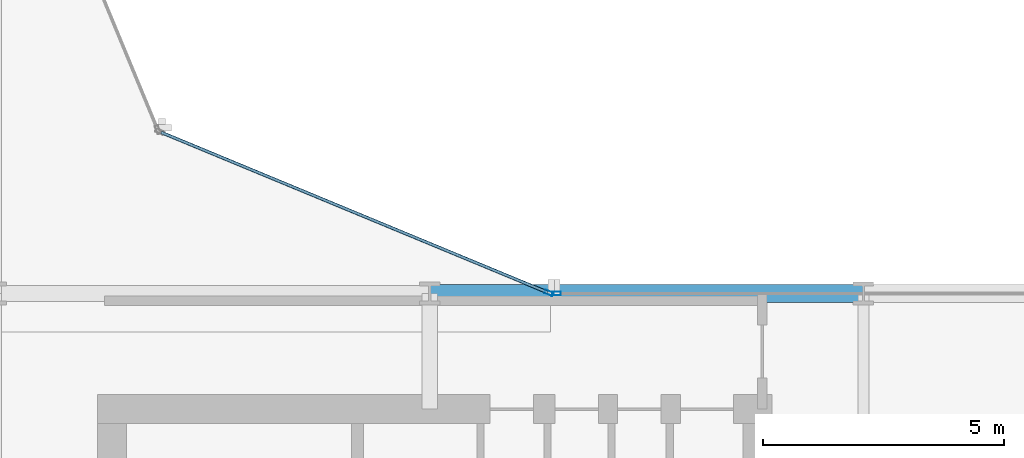
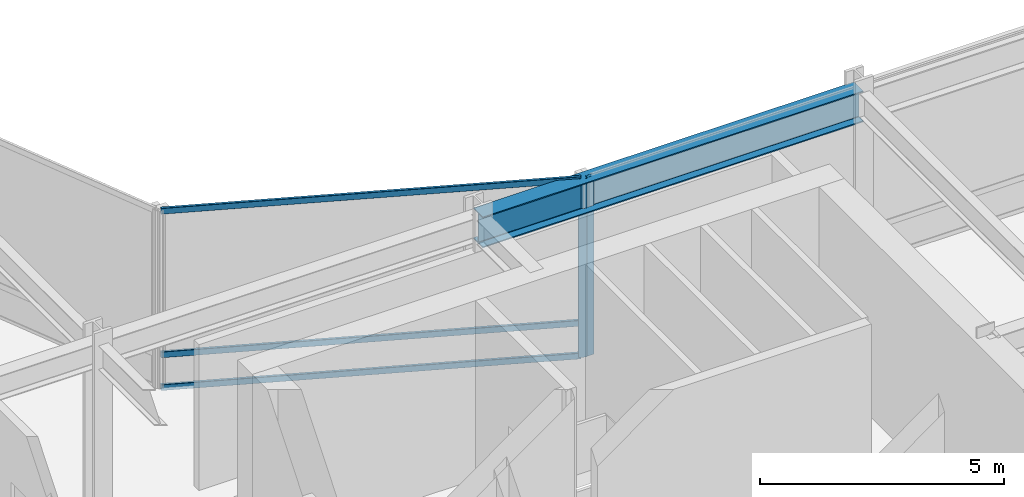
# One storey, part 16 of 42: 5 members, 1 beam, 2 elements without a shape of their own.
"""IFC4 building model written with IfcOpenShell, lengths in metres."""

from ifc_helpers import new_model, si_unit, direction, frame, origin, origin_2d, place, context, subcontext, project, spatial, hollow_rectangle, i_section, extrude, material, layer, layer_set, material_profile, profile_set, type_object, element, aggregate, save


model = new_model("IFC4")

# Units and contexts
model_context = context("Model", 3, precision=1e-05, world=origin(), true_north=direction((0.0, 1.0)))
body_context = subcontext(model_context, "Body", "Model", "MODEL_VIEW")
ifc_project = project(units=[si_unit("LENGTHUNIT", "METRE"), si_unit("AREAUNIT", "SQUARE_METRE"), si_unit("VOLUMEUNIT", "CUBIC_METRE"), si_unit("PLANEANGLEUNIT", "RADIAN"), si_unit("MASSUNIT", "GRAM", prefix="KILO")], contexts=[model_context])

# Site, building, storey
site_placement = place(None, origin())
site = spatial("IfcSite", under=ifc_project, at=site_placement, CompositionType="ELEMENT")
building_placement = place(site_placement, origin())
building = spatial("IfcBuilding", under=site, at=building_placement, Name="Solvaryn Broadcast Tower", CompositionType="ELEMENT")
storey_placement = place(building_placement, frame((0.0, 0.0, 100.199951171875)))
storey = spatial("IfcBuildingStorey", under=building, at=storey_placement, Name="L24", CompositionType="ELEMENT", Elevation=100.199951171875)

# Beam
ifc_material_1 = material(Name="Steel ASTM A992 Grade 50", Category="steel")
ifc_material_profile_1 = material_profile(ifc_material_1, i_section(OverallWidth=0.381103515625, OverallDepth=0.77294921875, WebThickness=0.0166015625, FlangeThickness=0.027099609375, FilletRadius=0.01806640625, at=origin_2d()))
ifc_profile_set_1 = profile_set([ifc_material_profile_1], Name="Steel ASTM A992 Grade 50")
beam_type = type_object("IfcBeamType", Name="BM-SP1-W30X173", PredefinedType="USERDEFINED", material=ifc_profile_set_1)
beam_placement = place(storey_placement, frame((36.0, 27.0, 4.08349609375), z_axis=(1.0, 0.0, 0.0), x_axis=(0.0, 1.0, 0.0)))
element("IfcBeam", 1, at=beam_placement, inside=storey, type_object=beam_type, Name="L24 Spandrel Beam X (36-45 @ Y=27)", ObjectType="SPANDREL", PredefinedType="USERDEFINED", context=body_context, shape_type="SweptSolid", body=[
    extrude(i_section(OverallWidth=0.381103515625, OverallDepth=0.77294921875, WebThickness=0.0166015625, FlangeThickness=0.027099609375, FilletRadius=0.01806640625, at=origin_2d()), origin(), (0.0, 0.0, 1.0), 9.0),
])

# Curtain wall, member
ifc_material_2 = material(Name="Aluminium and Terracotta Unitised Curtain Wall", Category="masonry")
ifc_layer = layer(ifc_material_2, 0.199951171875)
ifc_layer_set = layer_set([ifc_layer], Name="CW-SYS2-LOWMID")
curtain_wall_type = type_object("IfcCurtainWallType", Name="CW-SYS2-LOWMID", PredefinedType="NOTDEFINED", material=ifc_layer_set)
curtain_wall_1_placement = place(storey_placement, origin())
curtain_wall_1 = element("IfcCurtainWall", 2, at=curtain_wall_1_placement, inside=storey, type_object=curtain_wall_type, Name="L24 Curtain Wall CN1", PredefinedType="NOTDEFINED")
ifc_material_3 = material(Name="Anodised Aluminium 6063-T6", Category="aluminium")
ifc_material_profile_2 = material_profile(ifc_material_3, hollow_rectangle(XDim=0.074951171875, YDim=0.179931640625, WallThickness=0.00390625, InnerFilletRadius=0.00390625, OuterFilletRadius=0.008056640625, at=origin_2d()))
ifc_profile_set_2 = profile_set([ifc_material_profile_2], Name="Anodised Aluminium 6063-T6")
member_type_1 = type_object("IfcMemberType", Name="CW-MUL-180", PredefinedType="MULLION", material=ifc_profile_set_2)
member_1_placement = place(storey_placement, frame((38.47216796875, 27.011474609375, 0.0), z_axis=(0.0, 0.0, 1.0), x_axis=(-0.382646127145, -0.923894983957, 0.0)))
member_1 = element("IfcMember", 3, at=member_1_placement, type_object=member_type_1, Name="CWS2 mullion 1", PredefinedType="MULLION", context=body_context, shape_type="SweptSolid", body=[
    extrude(hollow_rectangle(XDim=0.074951171875, YDim=0.179931640625, WallThickness=0.00390625, InnerFilletRadius=0.00390625, OuterFilletRadius=0.008056640625, at=origin_2d()), origin(), (0.0, 0.0, 1.0), 4.469970703125),
])

curtain_wall_2_placement = place(storey_placement, origin())
curtain_wall_2 = element("IfcCurtainWall", 4, at=curtain_wall_2_placement, inside=storey, type_object=curtain_wall_type, Name="L24 Curtain Wall IH", PredefinedType="NOTDEFINED")
member_2_placement = place(storey_placement, frame((38.6298828125, 27.0, 0.0), z_axis=(0.0, 0.0, 1.0), x_axis=(0.0, 1.0, 0.0)))
member_2 = element("IfcMember", 5, at=member_2_placement, type_object=member_type_1, Name="CWS2 mullion 1", PredefinedType="MULLION", context=body_context, shape_type="SweptSolid", body=[
    extrude(hollow_rectangle(XDim=0.074951171875, YDim=0.179931640625, WallThickness=0.00390625, InnerFilletRadius=0.00390625, OuterFilletRadius=0.008056640625, at=origin_2d()), origin(), (0.0, 0.0, 1.0), 4.469970703125),
])
aggregate(curtain_wall_2, [member_2])

# Member
ifc_material_4 = material(Name="Anodised Aluminium 6063-T6", Category="aluminium")
ifc_material_profile_3 = material_profile(ifc_material_4, hollow_rectangle(XDim=0.06494140625, YDim=0.14990234375, WallThickness=0.00390625, InnerFilletRadius=0.00390625, OuterFilletRadius=0.008056640625, at=origin_2d()))
ifc_profile_set_3 = profile_set([ifc_material_profile_3], Name="Anodised Aluminium 6063-T6")
member_type_2 = type_object("IfcMemberType", Name="CW-TRN-150", PredefinedType="USERDEFINED", material=ifc_profile_set_3)
member_3_placement = place(storey_placement, frame((38.444580078125, 27.02294921875, 0.030029296875), z_axis=(-0.923899282177, 0.382635748975, 0.0), x_axis=(-0.382635748975, -0.923899282177, 0.0)))
member_3 = element("IfcMember", 6, at=member_3_placement, type_object=member_type_2, Name="CWS2 transom 1.1", ObjectType="TRANSOM", PredefinedType="USERDEFINED", context=body_context, shape_type="SweptSolid", body=[
    extrude(hollow_rectangle(XDim=0.06494140625, YDim=0.14990234375, WallThickness=0.00390625, InnerFilletRadius=0.00390625, OuterFilletRadius=0.008056640625, at=origin_2d()), origin(), (0.0, 0.0, 1.0), 8.681884765625),
])

member_4_placement = place(storey_placement, frame((38.444580078125, 27.02294921875, 0.85009765625), z_axis=(-0.923899282177, 0.382635748975, 0.0), x_axis=(-0.382635748975, -0.923899282177, 0.0)))
member_4 = element("IfcMember", 7, at=member_4_placement, type_object=member_type_2, Name="CWS2 transom 1.2", ObjectType="TRANSOM", PredefinedType="USERDEFINED", context=body_context, shape_type="SweptSolid", body=[
    extrude(hollow_rectangle(XDim=0.06494140625, YDim=0.14990234375, WallThickness=0.00390625, InnerFilletRadius=0.00390625, OuterFilletRadius=0.008056640625, at=origin_2d()), origin(), (0.0, 0.0, 1.0), 8.681884765625),
])

member_5_placement = place(storey_placement, frame((38.444580078125, 27.02294921875, 4.43994140625), z_axis=(-0.923899282177, 0.382635748975, 0.0), x_axis=(-0.382635748975, -0.923899282177, 0.0)))
member_5 = element("IfcMember", 8, at=member_5_placement, type_object=member_type_2, Name="CWS2 transom 1.3", ObjectType="TRANSOM", PredefinedType="USERDEFINED", context=body_context, shape_type="SweptSolid", body=[
    extrude(hollow_rectangle(XDim=0.06494140625, YDim=0.14990234375, WallThickness=0.00390625, InnerFilletRadius=0.00390625, OuterFilletRadius=0.008056640625, at=origin_2d()), origin(), (0.0, 0.0, 1.0), 8.681884765625),
])

aggregate(curtain_wall_1, [member_1, member_3, member_4, member_5])

save(model, "model.ifc")
